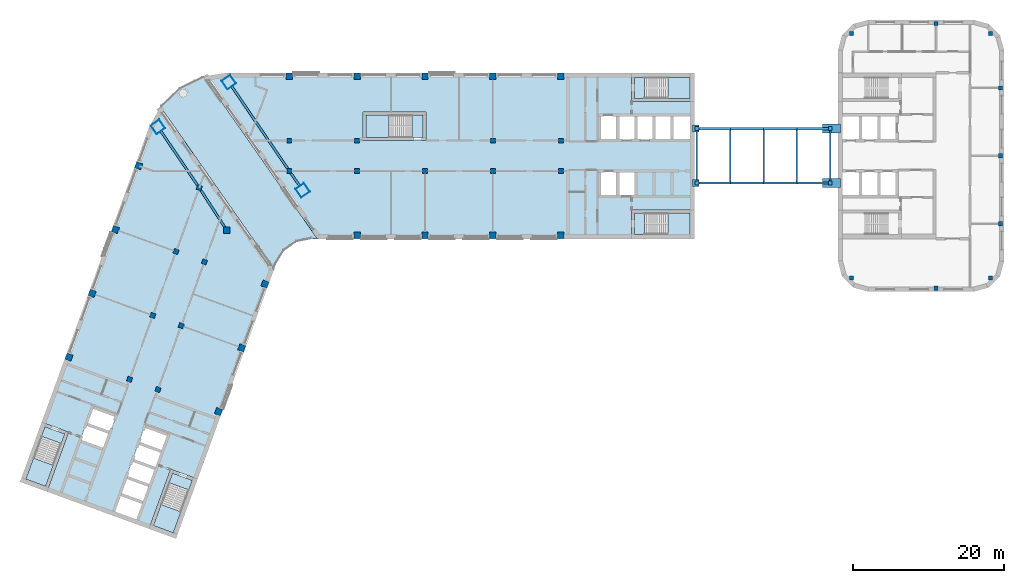
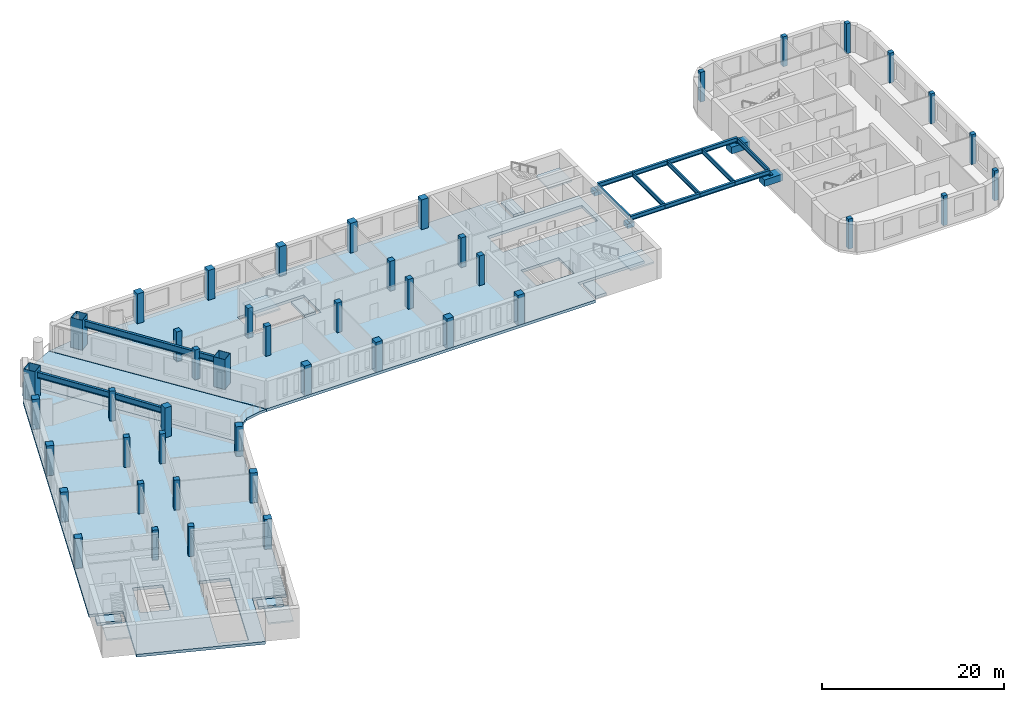
# One storey, part 1 of 14: 45 columns, 13 beams, 13 slabs, 12 members, 5 elements without a shape of their own.
"""IFC4 building model written with IfcOpenShell, lengths in metres."""

from ifc_helpers import new_model, si_unit, direction, frame, origin, origin_2d, place, context, subcontext, project, spatial, polyline, rectangle, hollow_rectangle, i_section, outline, extrude, material, layer, layer_set, material_profile, profile_set, type_object, element, aggregate, save


model = new_model("IFC4")

# Units and contexts
model_context = context("Model", 3, precision=1e-05, world=origin(), true_north=direction((0.0, 1.0)))
body_context = subcontext(model_context, "Body", "Model", "MODEL_VIEW")
ifc_project = project(units=[si_unit("LENGTHUNIT", "METRE"), si_unit("AREAUNIT", "SQUARE_METRE"), si_unit("VOLUMEUNIT", "CUBIC_METRE"), si_unit("PLANEANGLEUNIT", "RADIAN"), si_unit("MASSUNIT", "GRAM", prefix="KILO")], contexts=[model_context])

# Site, building, storey
site_placement = place(None, origin())
site = spatial("IfcSite", under=ifc_project, at=site_placement, CompositionType="ELEMENT")
building_placement = place(site_placement, origin())
building = spatial("IfcBuilding", under=site, at=building_placement, Name="Skarvind Civic Tower", CompositionType="ELEMENT")
storey_placement = place(building_placement, frame((0.0, 0.0, 105.0)))
storey = spatial("IfcBuildingStorey", under=building, at=storey_placement, Name="L24", CompositionType="ELEMENT", Elevation=105.0)

# Columns
ifc_material_1 = material(Name="Concrete C60", Category="concrete")
ifc_material_profile_1 = material_profile(ifc_material_1, rectangle(XDim=0.550048828125, YDim=0.550048828125, at=origin_2d()), Name="RC-550x550")
ifc_profile_set_1 = profile_set([ifc_material_profile_1], Name="Concrete C60")
column_type_1 = type_object("IfcColumnType", Name="Column RC-550x550 C60", PredefinedType="COLUMN", material=ifc_profile_set_1)
for number, where, z_axis, x_axis, name in (
    (1, (128.777099609375, 144.222900390625, 0.0), (0.0, 0.0, 1.0), (1.0, 0.0, 0.0), "Column second tower north-west corner L24"),
    (2, (128.777099609375, 111.777099609375, 0.0), (0.0, 0.0, 1.0), (1.0, 0.0, 0.0), "Column second tower south-west corner L24"),
    (3, (148.550048828125, 119.0, 0.0), (0.0, 0.0, 1.0), (1.0, 0.0, 0.0), "Column second tower middle line 01 L24"),
    (4, (148.550048828125, 128.0, 0.0), (0.0, 0.0, 1.0), (1.0, 0.0, 0.0), "Column second tower middle line 02 L24"),
    (5, (148.550048828125, 137.0, 0.0), (0.0, 0.0, 1.0), (1.0, 0.0, 0.0), "Column second tower middle line 03 L24"),
    (6, (140.0, 145.550048828125, 0.0), (0.0, 0.0, 1.0), (1.0, 0.0, 0.0), "Column second tower north perimeter 02 L24"),
    (7, (147.222900390625, 144.222900390625, 0.0), (0.0, 0.0, 1.0), (1.0, 0.0, 0.0), "Column second tower north perimeter 03 L24"),
    (8, (140.0, 110.449951171875, 0.0), (0.0, 0.0, 1.0), (1.0, 0.0, 0.0), "Column second tower south perimeter 02 L24"),
    (9, (147.222900390625, 111.777099609375, 0.0), (0.0, 0.0, 1.0), (1.0, 0.0, 0.0), "Column second tower south perimeter 03 L24"),
):
    element("IfcColumn", number, at=place(storey_placement, frame(where, z_axis=z_axis, x_axis=x_axis)), inside=storey, type_object=column_type_1, Name=name, PredefinedType="COLUMN", context=body_context, shape_type="SweptSolid", body=[
        extrude(rectangle(XDim=0.550048828125, YDim=0.550048828125, at=origin_2d()), origin(), (0.0, 0.0, 1.0), 4.0),
    ])
ifc_material_profile_2 = material_profile(ifc_material_1, rectangle(XDim=0.64990234375, YDim=0.64990234375, at=origin_2d()), Name="RC-650x650")
ifc_profile_set_2 = profile_set([ifc_material_profile_2], Name="Concrete C60")
column_type_2 = type_object("IfcColumnType", Name="Column RC-650x650 C60", PredefinedType="COLUMN", material=ifc_profile_set_2)
for number, where, z_axis, x_axis, name in (
    (10, (54.25, 130.0, 0.0), (0.0, 0.0, 1.0), (1.0, 0.0, 0.0), "Column wing 1 north inner 02 L24"),
    (11, (63.25, 130.0, 0.0), (0.0, 0.0, 1.0), (1.0, 0.0, 0.0), "Column wing 1 north inner 03 L24"),
    (12, (81.25, 130.0, 0.0), (0.0, 0.0, 1.0), (1.0, 0.0, 0.0), "Column wing 1 north inner 05 L24"),
    (13, (90.25, 130.0, 0.0), (0.0, 0.0, 1.0), (1.0, 0.0, 0.0), "Column wing 1 north inner 06 L24"),
    (14, (54.25, 126.0, 0.0), (0.0, 0.0, 1.0), (1.0, 0.0, 0.0), "Column wing 1 south inner 02 L24"),
    (15, (63.25, 126.0, 0.0), (0.0, 0.0, 1.0), (1.0, 0.0, 0.0), "Column wing 1 south inner 03 L24"),
    (16, (72.25, 126.0, 0.0), (0.0, 0.0, 1.0), (1.0, 0.0, 0.0), "Column wing 1 south inner 04 L24"),
    (17, (81.25, 126.0, 0.0), (0.0, 0.0, 1.0), (1.0, 0.0, 0.0), "Column wing 1 south inner 05 L24"),
    (18, (90.25, 126.0, 0.0), (0.0, 0.0, 1.0), (1.0, 0.0, 0.0), "Column wing 1 south inner 06 L24"),
    (19, (43.005615234375, 113.92529296875, 0.0), (0.0, 0.0, 1.0), (-0.342020143326, -0.939692620786, 0.0), "Column wing 2 left inner 02 L24"),
    (20, (39.927490234375, 105.468017578125, 0.0), (0.0, 0.0, 1.0), (-0.342020143326, -0.939692620786, 0.0), "Column wing 2 left inner 03 L24"),
    (21, (36.84912109375, 97.010986328125, 0.0), (0.0, 0.0, 1.0), (-0.342020143326, -0.939692620786, 0.0), "Column wing 2 left inner 04 L24"),
    (22, (42.324951171875, 123.750732421875, 0.0), (0.0, 0.0, 1.0), (-0.342020143326, -0.939692620786, 0.0), "Column wing 2 right inner 01 L24"),
    (23, (39.246826171875, 115.29345703125, 0.0), (0.0, 0.0, 1.0), (-0.342020143326, -0.939692620786, 0.0), "Column wing 2 right inner 02 L24"),
    (24, (36.168701171875, 106.836181640625, 0.0), (0.0, 0.0, 1.0), (-0.342020143326, -0.939692620786, 0.0), "Column wing 2 right inner 03 L24"),
    (25, (33.090576171875, 98.37890625, 0.0), (0.0, 0.0, 1.0), (-0.342020143326, -0.939692620786, 0.0), "Column wing 2 right inner 04 L24"),
):
    element("IfcColumn", number, at=place(storey_placement, frame(where, z_axis=z_axis, x_axis=x_axis)), inside=storey, type_object=column_type_2, Name=name, PredefinedType="COLUMN", context=body_context, shape_type="SweptSolid", body=[
        extrude(rectangle(XDim=0.64990234375, YDim=0.64990234375, at=origin_2d()), origin(), (0.0, 0.0, 1.0), 4.0),
    ])
ifc_material_2 = material(Name="Concrete C80", Category="concrete")
ifc_material_profile_3 = material_profile(ifc_material_2, rectangle(XDim=0.85009765625, YDim=0.85009765625, at=origin_2d()), Name="RC-850x850")
ifc_profile_set_3 = profile_set([ifc_material_profile_3], Name="Concrete C80")
column_type_3 = type_object("IfcColumnType", Name="Column RC-850x850 C80", PredefinedType="COLUMN", material=ifc_profile_set_3)
for number, where, z_axis, x_axis, name in (
    (26, (54.25, 138.550048828125, 0.0), (0.0, 0.0, 1.0), (1.0, 0.0, 0.0), "Column wing 1 north perimeter 02 L24"),
    (27, (63.25, 138.550048828125, 0.0), (0.0, 0.0, 1.0), (1.0, 0.0, 0.0), "Column wing 1 north perimeter 03 L24"),
    (28, (72.25, 138.550048828125, 0.0), (0.0, 0.0, 1.0), (1.0, 0.0, 0.0), "Column wing 1 north perimeter 04 L24"),
    (29, (81.25, 138.550048828125, 0.0), (0.0, 0.0, 1.0), (1.0, 0.0, 0.0), "Column wing 1 north perimeter 05 L24"),
    (30, (90.25, 138.550048828125, 0.0), (0.0, 0.0, 1.0), (1.0, 0.0, 0.0), "Column wing 1 north perimeter 06 L24"),
    (31, (45.95166015625, 118.151611328125, 0.0), (0.0, 0.0, 1.0), (1.0, 0.0, 0.0), "Column wing 1 south perimeter 01 L24"),
    (32, (63.25, 117.449951171875, 0.0), (0.0, 0.0, 1.0), (1.0, 0.0, 0.0), "Column wing 1 south perimeter 03 L24"),
    (33, (72.25, 117.449951171875, 0.0), (0.0, 0.0, 1.0), (1.0, 0.0, 0.0), "Column wing 1 south perimeter 04 L24"),
    (34, (81.25, 117.449951171875, 0.0), (0.0, 0.0, 1.0), (1.0, 0.0, 0.0), "Column wing 1 south perimeter 05 L24"),
    (35, (90.25, 117.449951171875, 0.0), (0.0, 0.0, 1.0), (1.0, 0.0, 0.0), "Column wing 1 south perimeter 06 L24"),
    (36, (51.0400390625, 111.0009765625, 0.0), (0.0, 0.0, 1.0), (-0.342020143326, -0.939692620786, 0.0), "Column wing 2 left perimeter 02 L24"),
    (37, (47.961669921875, 102.5439453125, 0.0), (0.0, 0.0, 1.0), (-0.342020143326, -0.939692620786, 0.0), "Column wing 2 left perimeter 03 L24"),
    (38, (44.883544921875, 94.086669921875, 0.0), (0.0, 0.0, 1.0), (-0.342020143326, -0.939692620786, 0.0), "Column wing 2 left perimeter 04 L24"),
    (39, (34.29052734375, 126.6748046875, 0.0), (0.0, 0.0, 1.0), (-0.342020143326, -0.939692620786, 0.0), "Column wing 2 right perimeter 01 L24"),
    (40, (31.21240234375, 118.2177734375, 0.0), (0.0, 0.0, 1.0), (-0.342020143326, -0.939692620786, 0.0), "Column wing 2 right perimeter 02 L24"),
    (41, (28.13427734375, 109.760498046875, 0.0), (0.0, 0.0, 1.0), (-0.342020143326, -0.939692620786, 0.0), "Column wing 2 right perimeter 03 L24"),
    (42, (25.05615234375, 101.30322265625, 0.0), (0.0, 0.0, 1.0), (-0.342020143326, -0.939692620786, 0.0), "Column wing 2 right perimeter 04 L24"),
):
    element("IfcColumn", number, at=place(storey_placement, frame(where, z_axis=z_axis, x_axis=x_axis)), inside=storey, type_object=column_type_3, Name=name, PredefinedType="COLUMN", context=body_context, shape_type="SweptSolid", body=[
        extrude(rectangle(XDim=0.85009765625, YDim=0.85009765625, at=origin_2d()), origin(), (0.0, 0.0, 1.0), 4.0),
    ])
ifc_material_3 = material(Name="Composite concrete-filled steel tube, Steel SM355 with Concrete C80", Category="concrete")
ifc_material_profile_4 = material_profile(ifc_material_3, hollow_rectangle(XDim=1.39990234375, YDim=1.39990234375, WallThickness=0.0400390625, at=origin_2d()), Name="BOX-1400x1400x40")
ifc_profile_set_4 = profile_set([ifc_material_profile_4], Name="Composite concrete-filled steel tube, Steel SM355 with Concrete C80")
column_type_4 = type_object("IfcColumnType", Name="Mega column BOX-1400x1400x40 filled C80", PredefinedType="COLUMN", material=ifc_profile_set_4)
for number, where, z_axis, x_axis, name in (
    (43, (36.845947265625, 131.837646484375, 0.0), (0.0, 0.0, 1.0), (0.573576436351, -0.819152044289, 0.0), "Mega column 1 L24"),
    (44, (46.2470703125, 137.762451171875, 0.0), (0.0, 0.0, 1.0), (0.573576436351, -0.819152044289, 0.0), "Mega column 2 L24"),
    (45, (56.0361328125, 123.43017578125, 0.0), (0.0, 0.0, 1.0), (0.573576436351, -0.819152044289, 0.0), "Mega column 4 L24"),
):
    element("IfcColumn", number, at=place(storey_placement, frame(where, z_axis=z_axis, x_axis=x_axis)), inside=storey, type_object=column_type_4, Name=name, PredefinedType="COLUMN", context=body_context, shape_type="SweptSolid", body=[
        extrude(hollow_rectangle(XDim=1.39990234375, YDim=1.39990234375, WallThickness=0.0400390625, at=origin_2d()), origin(), (0.0, 0.0, 1.0), 4.0),
    ])

# Members
ifc_material_4 = material(Name="Steel SM355", Category="steel")
ifc_material_profile_5 = material_profile(ifc_material_4, i_section(OverallWidth=0.300048828125, OverallDepth=0.587890625, WebThickness=0.011962890625, FlangeThickness=0.02001953125, FilletRadius=0.028076171875, at=origin_2d()), Name="H-588x300x12x20")
ifc_profile_set_5 = profile_set([ifc_material_profile_5], Name="Steel SM355")
member_type_1 = type_object("IfcMemberType", Name="Bridge chord H-588x300x12x20 SM355", PredefinedType="CHORD", material=ifc_profile_set_5)
for number, where, z_axis, x_axis, name in (
    (46, (108.300048828125, 124.39990234375, 3.4560546875), (1.0, 0.0, 0.0), (0.0, 1.0, 0.0), "Link bridge BR2 chord"),
    (47, (112.71875, 124.39990234375, 3.4560546875), (1.0, 0.0, 0.0), (0.0, 1.0, 0.0), "Link bridge BR2 chord"),
    (48, (117.137451171875, 124.39990234375, 3.4560546875), (1.0, 0.0, 0.0), (0.0, 1.0, 0.0), "Link bridge BR2 chord"),
):
    element("IfcMember", number, at=place(storey_placement, frame(where, z_axis=z_axis, x_axis=x_axis)), inside=storey, type_object=member_type_1, Name=name, PredefinedType="CHORD", context=body_context, shape_type="SweptSolid", body=[
        extrude(i_section(OverallWidth=0.300048828125, OverallDepth=0.587890625, WebThickness=0.011962890625, FlangeThickness=0.02001953125, FilletRadius=0.028076171875, at=origin_2d()), origin(), (0.0, 0.0, 1.0), 4.418701171875),
    ])
member_1_placement = place(storey_placement, frame((121.55615234375, 124.39990234375, 3.4560546875), z_axis=(1.0, 0.0, 0.0), x_axis=(0.0, 1.0, 0.0)))
element("IfcMember", 49, at=member_1_placement, inside=storey, type_object=member_type_1, Name="Link bridge BR2 chord", PredefinedType="CHORD", context=body_context, shape_type="SweptSolid", body=[
    extrude(i_section(OverallWidth=0.300048828125, OverallDepth=0.587890625, WebThickness=0.011962890625, FlangeThickness=0.02001953125, FilletRadius=0.028076171875, at=origin_2d()), origin(), (0.0, 0.0, 1.0), 4.4189453125),
])
for number, where, z_axis, x_axis, name in (
    (50, (108.300048828125, 131.60009765625, 3.4560546875), (1.0, 0.0, 0.0), (0.0, 1.0, 0.0), "Link bridge BR2 chord"),
    (51, (112.71875, 131.60009765625, 3.4560546875), (1.0, 0.0, 0.0), (0.0, 1.0, 0.0), "Link bridge BR2 chord"),
    (52, (117.137451171875, 131.60009765625, 3.4560546875), (1.0, 0.0, 0.0), (0.0, 1.0, 0.0), "Link bridge BR2 chord"),
):
    element("IfcMember", number, at=place(storey_placement, frame(where, z_axis=z_axis, x_axis=x_axis)), inside=storey, type_object=member_type_1, Name=name, PredefinedType="CHORD", context=body_context, shape_type="SweptSolid", body=[
        extrude(i_section(OverallWidth=0.300048828125, OverallDepth=0.587890625, WebThickness=0.011962890625, FlangeThickness=0.02001953125, FilletRadius=0.028076171875, at=origin_2d()), origin(), (0.0, 0.0, 1.0), 4.418701171875),
    ])
member_2_placement = place(storey_placement, frame((121.55615234375, 131.60009765625, 3.4560546875), z_axis=(1.0, 0.0, 0.0), x_axis=(0.0, 1.0, 0.0)))
element("IfcMember", 53, at=member_2_placement, inside=storey, type_object=member_type_1, Name="Link bridge BR2 chord", PredefinedType="CHORD", context=body_context, shape_type="SweptSolid", body=[
    extrude(i_section(OverallWidth=0.300048828125, OverallDepth=0.587890625, WebThickness=0.011962890625, FlangeThickness=0.02001953125, FilletRadius=0.028076171875, at=origin_2d()), origin(), (0.0, 0.0, 1.0), 4.4189453125),
])

# Beams
ifc_material_profile_6 = material_profile(ifc_material_4, i_section(OverallWidth=0.199951171875, OverallDepth=0.60009765625, WebThickness=0.010986328125, FlangeThickness=0.01708984375, FilletRadius=0.02197265625, at=origin_2d()), Name="H-600x200x11x17")
ifc_profile_set_6 = profile_set([ifc_material_profile_6], Name="Steel SM355")
beam_type_1 = type_object("IfcBeamType", Name="Bridge cross beam H-600x200x11x17 SM355", PredefinedType="BEAM", material=ifc_profile_set_6)
for number, where, z_axis, x_axis, name in (
    (54, (108.300048828125, 124.550048828125, 3.449951171875), (0.0, 1.0, 0.0), (-1.0, 0.0, 0.0), "Link bridge BR2 cross beam"),
    (55, (112.71875, 124.550048828125, 3.449951171875), (0.0, 1.0, 0.0), (-1.0, 0.0, 0.0), "Link bridge BR2 cross beam"),
    (56, (117.137451171875, 124.550048828125, 3.449951171875), (0.0, 1.0, 0.0), (-1.0, 0.0, 0.0), "Link bridge BR2 cross beam"),
    (57, (121.55615234375, 124.550048828125, 3.449951171875), (0.0, 1.0, 0.0), (-1.0, 0.0, 0.0), "Link bridge BR2 cross beam"),
    (58, (125.97509765625, 124.550048828125, 3.449951171875), (0.0, 1.0, 0.0), (-1.0, 0.0, 0.0), "Link bridge BR2 cross beam"),
):
    element("IfcBeam", number, at=place(storey_placement, frame(where, z_axis=z_axis, x_axis=x_axis)), inside=storey, type_object=beam_type_1, Name=name, PredefinedType="BEAM", context=body_context, shape_type="SweptSolid", body=[
        extrude(i_section(OverallWidth=0.199951171875, OverallDepth=0.60009765625, WebThickness=0.010986328125, FlangeThickness=0.01708984375, FilletRadius=0.02197265625, at=origin_2d()), origin(), (0.0, 0.0, 1.0), 6.89990234375),
    ])

# Members
member_type_2 = type_object("IfcMemberType", Name="Pinned bearing BR2", PredefinedType="USERDEFINED", material=ifc_material_4)
for number, where, z_axis, x_axis, name in (
    (59, (108.300048828125, 124.39990234375, 3.06201171875), (0.0, 0.0, 1.0), (1.0, 0.0, 0.0), "Pinned bearing BR2 T1 S"),
    (60, (108.300048828125, 131.60009765625, 3.06201171875), (0.0, 0.0, 1.0), (1.0, 0.0, 0.0), "Pinned bearing BR2 T1 N"),
):
    element("IfcMember", number, at=place(storey_placement, frame(where, z_axis=z_axis, x_axis=x_axis)), inside=storey, type_object=member_type_2, Name=name, ObjectType="BEARING", PredefinedType="USERDEFINED", context=body_context, shape_type="SweptSolid", body=[
        extrude(rectangle(XDim=0.5, YDim=0.5, at=origin_2d()), origin(), (0.0, 0.0, 1.0), 0.10009765625),
    ])

# Beams
ifc_material_profile_7 = material_profile(ifc_material_4, i_section(OverallWidth=0.300048828125, OverallDepth=0.800048828125, WebThickness=0.013916015625, FlangeThickness=0.02587890625, FilletRadius=0.028076171875, at=origin_2d()), Name="H-800x300x14x26")
ifc_profile_set_7 = profile_set([ifc_material_profile_7], Name="Steel SM355")
beam_type_2 = type_object("IfcBeamType", Name="Portal edge beam H-800x300x14x26 SM355", PredefinedType="BEAM", material=ifc_profile_set_7)
beam_1_placement = place(storey_placement, frame((45.67626953125, 118.57666015625, 3.22509765625), z_axis=(-0.543652113373, 0.8393106574, 0.0), x_axis=(-0.8393106574, -0.543652113373, 0.0)))
element("IfcBeam", 61, at=beam_1_placement, inside=storey, type_object=beam_type_2, Name="Portal edge beam L25 A1", PredefinedType="BEAM", context=body_context, shape_type="SweptSolid", body=[
    extrude(i_section(OverallWidth=0.300048828125, OverallDepth=0.800048828125, WebThickness=0.013916015625, FlangeThickness=0.02587890625, FilletRadius=0.028076171875, at=origin_2d()), origin(), (0.0, 0.0, 1.0), 5.757080078125),
])
beam_2_placement = place(storey_placement, frame((42.10009765625, 124.082763671875, 3.22509765625), z_axis=(-0.560899217821, 0.827884090587, 0.0), x_axis=(-0.827884090587, -0.560899217821, 0.0)))
element("IfcBeam", 62, at=beam_2_placement, inside=storey, type_object=beam_type_2, Name="Portal edge beam L25 A2", PredefinedType="BEAM", context=body_context, shape_type="SweptSolid", body=[
    extrude(i_section(OverallWidth=0.300048828125, OverallDepth=0.800048828125, WebThickness=0.013916015625, FlangeThickness=0.02587890625, FilletRadius=0.028076171875, at=origin_2d()), origin(), (0.0, 0.0, 1.0), 8.6669921875),
])
beam_3_placement = place(storey_placement, frame((55.63671875, 124.0048828125, 3.22509765625), z_axis=(-0.570744414781, 0.821127768984, 0.0), x_axis=(-0.821127768984, -0.570744414781, 0.0)))
element("IfcBeam", 63, at=beam_3_placement, inside=storey, type_object=beam_type_2, Name="Portal edge beam L25 B3", PredefinedType="BEAM", context=body_context, shape_type="SweptSolid", body=[
    extrude(i_section(OverallWidth=0.300048828125, OverallDepth=0.800048828125, WebThickness=0.013916015625, FlangeThickness=0.02587890625, FilletRadius=0.028076171875, at=origin_2d()), origin(), (0.0, 0.0, 1.0), 2.033935546875),
])
ifc_material_profile_8 = material_profile(ifc_material_4, i_section(OverallWidth=0.300048828125, OverallDepth=0.89990234375, WebThickness=0.01611328125, FlangeThickness=0.028076171875, FilletRadius=0.028076171875, at=origin_2d()), Name="H-900x300x16x28")
ifc_profile_set_8 = profile_set([ifc_material_profile_8], Name="Steel SM355")
beam_type_3 = type_object("IfcBeamType", Name="Portal edge beam H-900x300x16x28 SM355", PredefinedType="BEAM", material=ifc_profile_set_8)
beam_4_placement = place(storey_placement, frame((54.02880859375, 126.324951171875, 3.175048828125), z_axis=(-0.562521518907, 0.82678264421, 0.0), x_axis=(-0.82678264421, -0.562521518907, 0.0)))
element("IfcBeam", 64, at=beam_4_placement, inside=storey, type_object=beam_type_3, Name="Portal edge beam L25 B4", PredefinedType="BEAM", context=body_context, shape_type="SweptSolid", body=[
    extrude(i_section(OverallWidth=0.300048828125, OverallDepth=0.89990234375, WebThickness=0.01611328125, FlangeThickness=0.028076171875, FilletRadius=0.028076171875, at=origin_2d()), origin(), (0.0, 0.0, 1.0), 13.133544921875),
])
ifc_material_profile_9 = material_profile(ifc_material_1, rectangle(XDim=1.199951171875, YDim=0.89990234375, at=origin_2d()), Name="RC-1200x900")
ifc_profile_set_9 = profile_set([ifc_material_profile_9], Name="Concrete C60")
beam_type_4 = type_object("IfcBeamType", Name="Seat corbel RC-1200x900 C60", PredefinedType="BEAM", material=ifc_profile_set_9)
for number, where, z_axis, x_axis, name in (
    (65, (124.949951171875, 124.39990234375, 2.612060546875), (1.0, 0.0, 0.0), (0.0, 1.0, 0.0), "Seat corbel BR2 T2 S"),
    (66, (124.949951171875, 131.60009765625, 2.612060546875), (1.0, 0.0, 0.0), (0.0, 1.0, 0.0), "Seat corbel BR2 T2 N"),
):
    element("IfcBeam", number, at=place(storey_placement, frame(where, z_axis=z_axis, x_axis=x_axis)), inside=storey, type_object=beam_type_4, Name=name, PredefinedType="BEAM", context=body_context, shape_type="SweptSolid", body=[
        extrude(rectangle(XDim=1.199951171875, YDim=0.89990234375, at=origin_2d()), origin(), (0.0, 0.0, 1.0), 2.35009765625),
    ])
ifc_material_profile_10 = material_profile(ifc_material_1, rectangle(XDim=0.89990234375, YDim=0.60009765625, at=origin_2d()), Name="RC-900x600")
ifc_profile_set_10 = profile_set([ifc_material_profile_10], Name="Concrete C60")
beam_type_5 = type_object("IfcBeamType", Name="Seat corbel RC-900x600 C60", PredefinedType="BEAM", material=ifc_profile_set_10)
for number, where, z_axis, x_axis, name in (
    (67, (107.699951171875, 124.39990234375, 2.761962890625), (1.0, 0.0, 0.0), (0.0, 1.0, 0.0), "Seat corbel BR2 T1 S"),
    (68, (107.699951171875, 131.60009765625, 2.761962890625), (1.0, 0.0, 0.0), (0.0, 1.0, 0.0), "Seat corbel BR2 T1 N"),
):
    element("IfcBeam", number, at=place(storey_placement, frame(where, z_axis=z_axis, x_axis=x_axis)), inside=storey, type_object=beam_type_5, Name=name, PredefinedType="BEAM", context=body_context, shape_type="SweptSolid", body=[
        extrude(rectangle(XDim=0.89990234375, YDim=0.60009765625, at=origin_2d()), origin(), (0.0, 0.0, 1.0), 0.900146484375),
    ])

# Members
member_type_3 = type_object("IfcMemberType", Name="Sliding bearing BR2", PredefinedType="USERDEFINED", material=ifc_material_4)
for number, where, z_axis, x_axis, name in (
    (69, (125.97509765625, 124.39990234375, 3.06201171875), (0.0, 0.0, 1.0), (1.0, 0.0, 0.0), "Sliding bearing BR2 T2 S"),
    (70, (125.97509765625, 131.60009765625, 3.06201171875), (0.0, 0.0, 1.0), (1.0, 0.0, 0.0), "Sliding bearing BR2 T2 N"),
):
    element("IfcMember", number, at=place(storey_placement, frame(where, z_axis=z_axis, x_axis=x_axis)), inside=storey, type_object=member_type_3, Name=name, ObjectType="BEARING", PredefinedType="USERDEFINED", context=body_context, shape_type="SweptSolid", body=[
        extrude(rectangle(XDim=0.5, YDim=0.5, at=origin_2d()), origin(), (0.0, 0.0, 1.0), 0.10009765625),
    ])

# Slabs
ifc_material_5 = material(Name="Concrete C50", Category="concrete")
ifc_layer_1 = layer(ifc_material_5, 0.375)
ifc_layer_set_1 = layer_set([ifc_layer_1], Name="Floor slab 375 C50")
slab_type_1 = type_object("IfcSlabType", Name="Floor slab 375 C50", PredefinedType="FLOOR", material=ifc_layer_set_1)
slab_1_placement = place(storey_placement, frame((0.0, 0.0, -0.375)))
element("IfcSlab", 71, at=slab_1_placement, inside=storey, type_object=slab_type_1, Name="Floor slab L24 1", PredefinedType="FLOOR", context=body_context, shape_type="SweptSolid", body=[
    extrude(outline(polyline([(108.0, 135.199951171875), (99.60009765625, 135.199951171875), (99.60009765625, 139.0), (46.095458984375, 139.0), (42.90283203125, 138.525146484375), (57.97509765625, 117.0), (99.60009765625, 117.0), (99.60009765625, 120.800048828125), (108.0, 120.800048828125), (108.0, 135.199951171875)]), holes=[polyline([(64.0, 130.0), (64.0, 133.800048828125), (72.39990234375, 133.800048828125), (72.39990234375, 130.0), (64.0, 130.0)]), polyline([(100.199951171875, 126.0), (100.199951171875, 122.60009765625), (97.800048828125, 122.60009765625), (95.39990234375, 122.60009765625), (95.39990234375, 126.0), (97.800048828125, 126.0), (100.199951171875, 126.0)]), polyline([(100.199951171875, 133.39990234375), (102.60009765625, 133.39990234375), (105.0, 133.39990234375), (107.39990234375, 133.39990234375), (107.39990234375, 130.0), (105.0, 130.0), (102.60009765625, 130.0), (100.199951171875, 130.0), (97.800048828125, 130.0), (95.39990234375, 130.0), (95.39990234375, 133.39990234375), (97.800048828125, 133.39990234375), (100.199951171875, 133.39990234375)])]), origin(), (0.0, 0.0, 1.0), 0.375),
])
slab_2_placement = place(storey_placement, frame((0.0, 0.0, -0.375)))
element("IfcSlab", 72, at=slab_2_placement, inside=storey, type_object=slab_type_1, Name="Floor slab L24 2", PredefinedType="FLOOR", context=body_context, shape_type="SweptSolid", body=[
    extrude(outline(polyline([(36.886474609375, 78.108154296875), (35.664794921875, 78.552734375), (38.53759765625, 86.4462890625), (42.108642578125, 85.146484375), (40.0908203125, 79.602294921875), (40.0908203125, 79.602294921875), (52.240966796875, 112.985107421875), (37.168701171875, 134.51025390625), (35.630615234375, 131.672607421875), (19.41748046875, 87.126708984375), (21.435302734375, 92.6708984375), (25.006103515625, 91.371337890625), (22.13330078125, 83.477783203125), (36.886474609375, 78.108154296875)]), holes=[polyline([(32.625244140625, 85.40576171875), (33.446044921875, 87.660888671875), (34.26708984375, 89.916259765625), (35.087890625, 92.17138671875), (38.28271484375, 91.008544921875), (37.4619140625, 88.75341796875), (36.64111328125, 86.498046875), (35.8203125, 84.242919921875), (35.8203125, 84.242919921875), (34.99951171875, 81.987548828125), (34.178466796875, 79.732421875), (30.983642578125, 80.89501953125), (31.804443359375, 83.150390625), (32.625244140625, 85.40576171875), (32.625244140625, 85.40576171875)]), polyline([(31.3291015625, 93.53955078125), (30.50830078125, 91.2841796875), (29.6875, 89.029052734375), (26.492431640625, 90.19189453125), (27.313232421875, 92.447021484375), (28.134033203125, 94.702392578125), (31.3291015625, 93.53955078125)])]), origin(), (0.0, 0.0, 1.0), 0.375),
])
ifc_layer_2 = layer(ifc_material_5, 0.324951171875)
ifc_layer_set_2 = layer_set([ifc_layer_2], Name="Slot and portal deck slab 325 C50")
slab_type_2 = type_object("IfcSlabType", Name="Slot and portal deck slab 325 C50", PredefinedType="FLOOR", material=ifc_layer_set_2)
slab_3_placement = place(storey_placement, frame((0.0, 0.0, -0.375)))
element("IfcSlab", 73, at=slab_3_placement, inside=storey, type_object=slab_type_2, Name="Terrace slab L24 1", PredefinedType="FLOOR", context=body_context, shape_type="SweptSolid", body=[
    extrude(outline(polyline([(57.235107421875, 117.0), (57.97509765625, 117.0), (42.90283203125, 138.525146484375), (42.739501953125, 138.5009765625), (39.6943359375, 137.005615234375), (37.24755859375, 134.6552734375), (37.168701171875, 134.51025390625), (52.240966796875, 112.985107421875), (52.493896484375, 113.68017578125), (53.560791015625, 115.421630859375), (55.23388671875, 116.593017578125), (57.235107421875, 117.0)])), origin(), (0.0, 0.0, 1.0), 0.324951171875),
])
ifc_material_6 = material(Name="Concrete C40/50", Category="concrete")
ifc_layer_3 = layer(ifc_material_6, 0.375)
ifc_layer_set_3 = layer_set([ifc_layer_3], Name="Stair floor landing slab 375")
slab_type_3 = type_object("IfcSlabType", Name="Stair floor landing slab 375", PredefinedType="LANDING", material=ifc_layer_set_3)
slab_4_placement = place(storey_placement, frame((0.0, 0.0, -0.375)))
element("IfcSlab", 74, at=slab_4_placement, inside=storey, type_object=slab_type_3, Name="Stair floor landing", PredefinedType="LANDING", context=body_context, shape_type="SweptSolid", body=[
    extrude(outline(polyline([(101.3505859375, 138.400634765625), (101.3505859375, 135.599365234375), (99.99951171875, 135.599365234375), (99.99951171875, 138.400634765625), (101.3505859375, 138.400634765625)])), origin(), (0.0, 0.0, 1.0), 0.375),
])
slab_5_placement = place(storey_placement, frame((0.0, 0.0, -0.375)))
element("IfcSlab", 75, at=slab_5_placement, inside=storey, type_object=slab_type_3, Name="Stair floor landing", PredefinedType="LANDING", context=body_context, shape_type="SweptSolid", body=[
    extrude(outline(polyline([(101.3505859375, 120.400634765625), (101.3505859375, 117.599365234375), (99.99951171875, 117.599365234375), (99.99951171875, 120.400634765625), (101.3505859375, 120.400634765625)])), origin(), (0.0, 0.0, 1.0), 0.375),
])
slab_6_placement = place(storey_placement, frame((0.0, 0.0, -0.375)))
element("IfcSlab", 76, at=slab_6_placement, inside=storey, type_object=slab_type_3, Name="Stair floor landing", PredefinedType="LANDING", context=body_context, shape_type="SweptSolid", body=[
    extrude(outline(polyline([(40.946533203125, 83.70654296875), (38.314208984375, 84.66455078125), (38.7763671875, 85.934326171875), (41.40869140625, 84.976318359375), (40.946533203125, 83.70654296875)])), origin(), (0.0, 0.0, 1.0), 0.375),
])
slab_7_placement = place(storey_placement, frame((0.0, 0.0, -0.375)))
element("IfcSlab", 77, at=slab_7_placement, inside=storey, type_object=slab_type_3, Name="Stair floor landing", PredefinedType="LANDING", context=body_context, shape_type="SweptSolid", body=[
    extrude(outline(polyline([(24.0322265625, 89.863037109375), (21.39990234375, 90.821044921875), (21.862060546875, 92.090576171875), (24.494384765625, 91.132568359375), (24.0322265625, 89.863037109375)])), origin(), (0.0, 0.0, 1.0), 0.375),
])
slab_8_placement = place(storey_placement, frame((0.0, 0.0, -0.375)))
element("IfcSlab", 78, at=slab_8_placement, inside=storey, type_object=slab_type_3, Name="Stair floor landing", PredefinedType="LANDING", context=body_context, shape_type="SweptSolid", body=[
    extrude(outline(polyline([(70.54931640625, 130.3994140625), (70.54931640625, 133.400634765625), (72.00048828125, 133.400634765625), (72.00048828125, 130.3994140625), (70.54931640625, 130.3994140625)])), origin(), (0.0, 0.0, 1.0), 0.375),
])

# Stair, slab
stair_type_1 = type_object("IfcStairType", Name="Exit stair, half-turn, concrete", PredefinedType="HALF_TURN_STAIR", material=ifc_material_6)
stair_1_placement = place(storey_placement, origin())
stair_1 = element("IfcStair", 79, at=stair_1_placement, inside=storey, type_object=stair_type_1, Name="Exit stair C1S", PredefinedType="HALF_TURN_STAIR")
ifc_layer_4 = layer(ifc_material_6, 0.199951171875)
ifc_layer_set_4 = layer_set([ifc_layer_4], Name="Stair half landing slab")
slab_type_4 = type_object("IfcSlabType", Name="Stair half landing slab", PredefinedType="LANDING", material=ifc_layer_set_4)
slab_9_placement = place(storey_placement, frame((0.0, 0.0, 1.800048828125)))
slab_9 = element("IfcSlab", 80, at=slab_9_placement, type_object=slab_type_4, Name="ST-C1S landing 1", PredefinedType="LANDING", context=body_context, shape_type="SweptSolid", body=[
    extrude(outline(polyline([(104.429443359375, 135.599365234375), (104.429443359375, 138.400634765625), (107.400634765625, 138.400634765625), (107.400634765625, 135.599365234375), (104.429443359375, 135.599365234375)])), origin(), (0.0, 0.0, 1.0), 0.199951171875),
])
aggregate(stair_1, [slab_9])

stair_2_placement = place(storey_placement, origin())
stair_2 = element("IfcStair", 81, at=stair_2_placement, inside=storey, type_object=stair_type_1, Name="Exit stair C1N", PredefinedType="HALF_TURN_STAIR")
slab_10_placement = place(storey_placement, frame((0.0, 0.0, 1.800048828125)))
slab_10 = element("IfcSlab", 82, at=slab_10_placement, type_object=slab_type_4, Name="ST-C1N landing 1", PredefinedType="LANDING", context=body_context, shape_type="SweptSolid", body=[
    extrude(outline(polyline([(104.429443359375, 117.599365234375), (104.429443359375, 120.400634765625), (107.400634765625, 120.400634765625), (107.400634765625, 117.599365234375), (104.429443359375, 117.599365234375)])), origin(), (0.0, 0.0, 1.0), 0.199951171875),
])
aggregate(stair_2, [slab_10])

stair_3_placement = place(storey_placement, origin())
stair_3 = element("IfcStair", 83, at=stair_3_placement, inside=storey, type_object=stair_type_1, Name="Exit stair C2S", PredefinedType="HALF_TURN_STAIR")
slab_11_placement = place(storey_placement, frame((0.0, 0.0, 1.800048828125)))
slab_11 = element("IfcSlab", 84, at=slab_11_placement, type_object=slab_type_4, Name="ST-C2S landing 1", PredefinedType="LANDING", context=body_context, shape_type="SweptSolid", body=[
    extrude(outline(polyline([(37.26123046875, 81.771484375), (39.8935546875, 80.8134765625), (38.87744140625, 78.021484375), (36.2451171875, 78.9794921875), (37.26123046875, 81.771484375)])), origin(), (0.0, 0.0, 1.0), 0.199951171875),
])
aggregate(stair_3, [slab_11])

stair_4_placement = place(storey_placement, origin())
stair_4 = element("IfcStair", 85, at=stair_4_placement, inside=storey, type_object=stair_type_1, Name="Exit stair C2N", PredefinedType="HALF_TURN_STAIR")
slab_12_placement = place(storey_placement, frame((0.0, 0.0, 1.800048828125)))
slab_12 = element("IfcSlab", 86, at=slab_12_placement, type_object=slab_type_4, Name="ST-C2N landing 1", PredefinedType="LANDING", context=body_context, shape_type="SweptSolid", body=[
    extrude(outline(polyline([(20.346923828125, 87.927734375), (22.97900390625, 86.9697265625), (21.962890625, 84.177734375), (19.33056640625, 85.1357421875), (20.346923828125, 87.927734375)])), origin(), (0.0, 0.0, 1.0), 0.199951171875),
])
aggregate(stair_4, [slab_12])

stair_type_2 = type_object("IfcStairType", Name="Exit stair 1450, half-turn, concrete", PredefinedType="HALF_TURN_STAIR", material=ifc_material_6)
stair_5_placement = place(storey_placement, origin())
stair_5 = element("IfcStair", 87, at=stair_5_placement, inside=storey, type_object=stair_type_2, Name="Exit stair CM", PredefinedType="HALF_TURN_STAIR")
slab_13_placement = place(storey_placement, frame((0.0, 0.0, 1.800048828125)))
slab_13 = element("IfcSlab", 88, at=slab_13_placement, type_object=slab_type_4, Name="ST-CM landing 1", PredefinedType="LANDING", context=body_context, shape_type="SweptSolid", body=[
    extrude(outline(polyline([(67.470703125, 133.400634765625), (67.470703125, 130.3994140625), (64.3994140625, 130.3994140625), (64.3994140625, 133.400634765625), (67.470703125, 133.400634765625)])), origin(), (0.0, 0.0, 1.0), 0.199951171875),
])
aggregate(stair_5, [slab_13])

save(model, "model.ifc")
